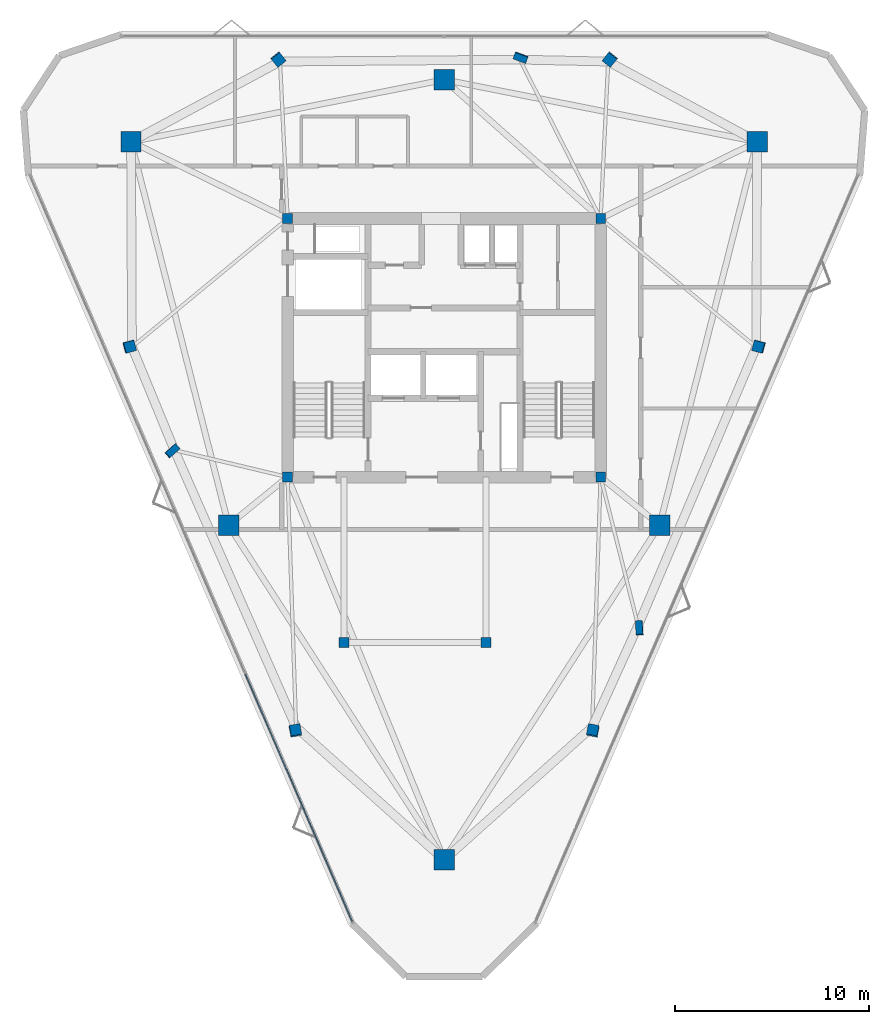
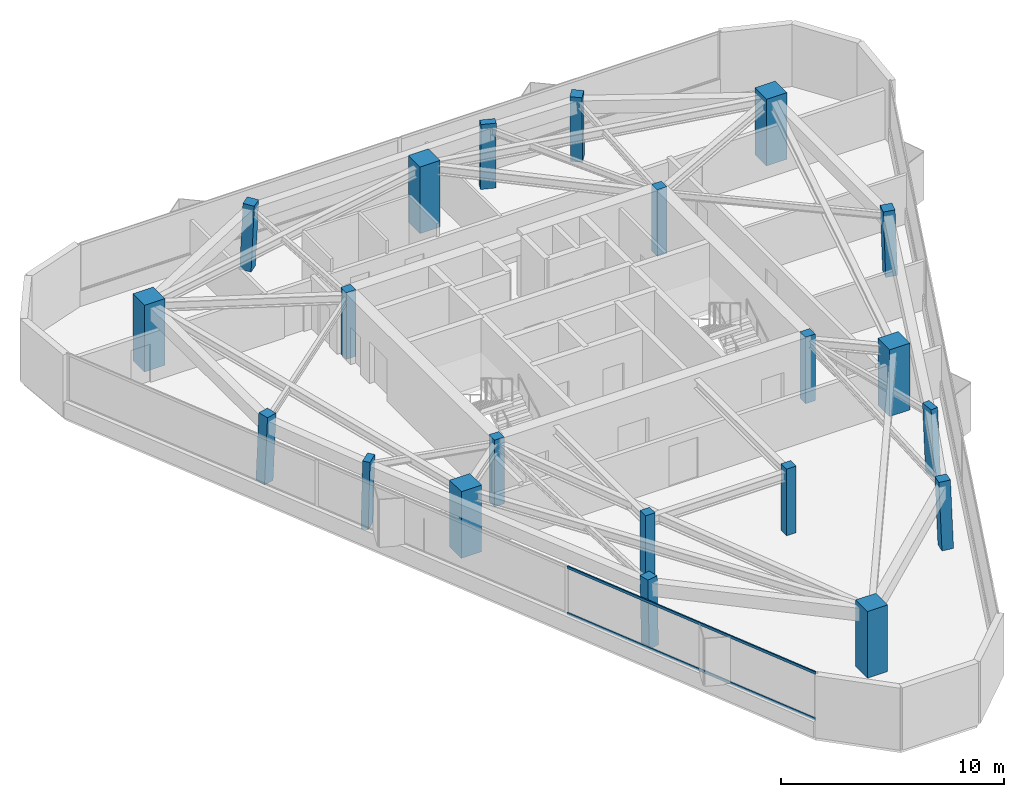
# One storey, part 1 of 10: 21 columns, 2 members, 1 element without a shape of its own.
"""IFC4 building model written with IfcOpenShell, lengths in metres."""

from ifc_helpers import new_model, si_unit, direction, frame, origin, origin_2d, place, context, subcontext, project, spatial, rectangle, extrude, material, layer, layer_set, material_profile, profile_set, type_object, element, aggregate, save


model = new_model("IFC4")

# Units and contexts
model_context = context("Model", 3, precision=1e-05, world=origin(), true_north=direction((0.0, 1.0)))
body_context = subcontext(model_context, "Body", "Model", "MODEL_VIEW")
ifc_project = project(units=[si_unit("LENGTHUNIT", "METRE"), si_unit("AREAUNIT", "SQUARE_METRE"), si_unit("VOLUMEUNIT", "CUBIC_METRE"), si_unit("PLANEANGLEUNIT", "RADIAN"), si_unit("MASSUNIT", "GRAM", prefix="KILO")], contexts=[model_context])

# Site, building, storey
site_placement = place(None, origin())
site = spatial("IfcSite", under=ifc_project, at=site_placement, CompositionType="ELEMENT")
building_placement = place(site_placement, origin())
building = spatial("IfcBuilding", under=site, at=building_placement, Name="Talyreon Biosciences Tower", CompositionType="ELEMENT")
storey_placement = place(building_placement, frame((0.0, 0.0, 287.449951171875)))
storey = spatial("IfcBuildingStorey", under=building, at=storey_placement, Name="L76", CompositionType="ELEMENT", Elevation=287.449951171875)

# Columns
ifc_material_1 = material(Name="Concrete C50/60", Category="concrete")
ifc_material_profile_1 = material_profile(ifc_material_1, rectangle(XDim=0.5, YDim=0.5, at=origin_2d()), Name="RC 500x500")
ifc_profile_set_1 = profile_set([ifc_material_profile_1], Name="Concrete C50/60")
column_type_1 = type_object("IfcColumnType", Name="CrownColumn_500", PredefinedType="COLUMN", material=ifc_profile_set_1)
for number, where, z_axis, x_axis, name in (
    (1, (57.949951171875, 61.35009765625, 0.0), (0.0, 0.0, 1.0), (1.0, 0.0, 0.0), "L76 Core Column CC1"),
    (2, (74.050048828125, 61.35009765625, 0.0), (0.0, 0.0, 1.0), (1.0, 0.0, 0.0), "L76 Core Column CC2"),
    (3, (74.050048828125, 74.64990234375, 0.0), (0.0, 0.0, 1.0), (1.0, 0.0, 0.0), "L76 Core Column CC3"),
    (4, (57.949951171875, 74.64990234375, 0.0), (0.0, 0.0, 1.0), (1.0, 0.0, 0.0), "L76 Core Column CC4"),
    (5, (60.85009765625, 52.840087890625, 0.0), (0.0, 0.0, 1.0), (1.0, 0.0, 0.0), "L76 Core Column CSW"),
    (6, (68.14990234375, 52.840087890625, 0.0), (0.0, 0.0, 1.0), (1.0, 0.0, 0.0), "L76 Core Column CSE"),
):
    element("IfcColumn", number, at=place(storey_placement, frame(where, z_axis=z_axis, x_axis=x_axis)), inside=storey, type_object=column_type_1, Name=name, PredefinedType="COLUMN", context=body_context, shape_type="SweptSolid", body=[
        extrude(rectangle(XDim=0.5, YDim=0.5, at=origin_2d()), origin(), (0.0, 0.0, 1.0), 3.650146484375),
    ])
ifc_material_2 = material(Name="Precast concrete C45/55", Category="concrete")
ifc_material_profile_2 = material_profile(ifc_material_2, rectangle(XDim=0.699951171875, YDim=0.35009765625, at=origin_2d()), Name="RC 700x350")
ifc_profile_set_2 = profile_set([ifc_material_profile_2], Name="Precast concrete C45/55")
column_type_2 = type_object("IfcColumnType", Name="FacadePilaster_700x350", PredefinedType="PILASTER", material=ifc_profile_set_2)
column_1_placement = place(storey_placement, frame((76.04931640625, 53.572998046875, 0.0029296875), z_axis=(-0.019545044433, 0.038353802945, 0.999073058909), x_axis=(0.063263333905, -0.997214076655, 0.039520069638)))
element("IfcColumn", 7, at=column_1_placement, inside=storey, type_object=column_type_2, Name="L76 Facade Pilaster PL-SE", PredefinedType="PILASTER", context=body_context, shape_type="SweptSolid", body=[
    extrude(rectangle(XDim=0.699951171875, YDim=0.35009765625, at=origin_2d()), origin(), (0.0, 0.0, 1.0), 3.6474609375),
])
column_2_placement = place(storey_placement, frame((69.940673828125, 82.945068359375, 0.0029296875), z_axis=(-0.012386525043, -0.033611003089, 0.999358231301), x_axis=(-0.938311200574, 0.345791976307, 0.0)))
element("IfcColumn", 8, at=column_2_placement, inside=storey, type_object=column_type_2, Name="L76 Facade Pilaster PL-N", PredefinedType="PILASTER", context=body_context, shape_type="SweptSolid", body=[
    extrude(rectangle(XDim=0.699951171875, YDim=0.35009765625, at=origin_2d()), origin(), (0.0, 0.0, 1.0), 3.646484375),
])
column_3_placement = place(storey_placement, frame((52.010009765625, 62.69970703125, 0.0029296875), z_axis=(0.032006454348, 0.010579539303, 0.999431668614), x_axis=(0.746781123543, 0.664349441211, -0.030947915635)))
element("IfcColumn", 9, at=column_3_placement, inside=storey, type_object=column_type_2, Name="L76 Facade Pilaster PL-SW", PredefinedType="PILASTER", context=body_context, shape_type="SweptSolid", body=[
    extrude(rectangle(XDim=0.699951171875, YDim=0.35009765625, at=origin_2d()), origin(), (0.0, 0.0, 1.0), 3.64599609375),
])
ifc_material_profile_3 = material_profile(ifc_material_1, rectangle(XDim=1.050048828125, YDim=1.050048828125, at=origin_2d()), Name="RC 1050x1050")
ifc_profile_set_3 = profile_set([ifc_material_profile_3], Name="Concrete C50/60")
column_type_3 = type_object("IfcColumnType", Name="MegaColumn_1050", PredefinedType="COLUMN", material=ifc_profile_set_3)
for number, where, z_axis, x_axis, name in (
    (10, (66.0, 41.6669921875, 0.0), (0.0, 0.0, 1.0), (1.0, 0.0, 0.0), "L76 Composite Mega-Column MC1"),
    (11, (82.102294921875, 78.5986328125, 0.0), (0.0, 0.0, 1.0), (1.0, 0.0, 0.0), "L76 Composite Mega-Column MC2"),
    (12, (49.897705078125, 78.5986328125, 0.0), (0.0, 0.0, 1.0), (1.0, 0.0, 0.0), "L76 Composite Mega-Column MC3"),
    (13, (77.086181640625, 58.88037109375, 0.0), (0.0, 0.0, 1.0), (1.0, 0.0, 0.0), "L76 Composite Mega-Column MC4"),
    (14, (66.0, 81.788818359375, 0.0), (0.0, 0.0, 1.0), (1.0, 0.0, 0.0), "L76 Composite Mega-Column MC5"),
    (15, (54.913818359375, 58.88037109375, 0.0), (0.0, 0.0, 1.0), (1.0, 0.0, 0.0), "L76 Composite Mega-Column MC6"),
):
    element("IfcColumn", number, at=place(storey_placement, frame(where, z_axis=z_axis, x_axis=x_axis)), inside=storey, type_object=column_type_3, Name=name, PredefinedType="COLUMN", context=body_context, shape_type="SweptSolid", body=[
        extrude(rectangle(XDim=1.050048828125, YDim=1.050048828125, at=origin_2d()), origin(), (0.0, 0.0, 1.0), 3.650146484375),
    ])
ifc_material_profile_4 = material_profile(ifc_material_1, rectangle(XDim=0.550048828125, YDim=0.550048828125, at=origin_2d()), Name="RC 550x550")
ifc_profile_set_4 = profile_set([ifc_material_profile_4], Name="Concrete C50/60")
column_type_4 = type_object("IfcColumnType", Name="PerimeterColumn_550", PredefinedType="COLUMN", material=ifc_profile_set_4)
column_4_placement = place(storey_placement, frame((73.65869140625, 48.288818359375, 0.0029296875), z_axis=(-0.012308168998, 0.054584053819, 0.998433317776), x_axis=(-0.185072033658, -0.981381387999, 0.051370357659)))
element("IfcColumn", 16, at=column_4_placement, inside=storey, type_object=column_type_4, Name="L76 Tapering Perimeter Column PC-SE1", PredefinedType="COLUMN", context=body_context, shape_type="SweptSolid", body=[
    extrude(rectangle(XDim=0.550048828125, YDim=0.550048828125, at=origin_2d()), origin(), (0.0, 0.0, 1.0), 3.649658203125),
])
column_5_placement = place(storey_placement, frame((82.197021484375, 68.06298828125, 0.0029296875), z_axis=(-0.039229508262, -0.005623342481, 0.999214403269), x_axis=(0.964318467378, -0.262232950068, 0.036383696508)))
element("IfcColumn", 17, at=column_5_placement, inside=storey, type_object=column_type_4, Name="L76 Tapering Perimeter Column PC-SE2", PredefinedType="COLUMN", context=body_context, shape_type="SweptSolid", body=[
    extrude(rectangle(XDim=0.550048828125, YDim=0.550048828125, at=origin_2d()), origin(), (0.0, 0.0, 1.0), 3.64697265625),
])
for number, where, z_axis, x_axis, name in (
    (18, (74.5380859375, 82.844970703125, 0.0029296875), (-0.026907963191, -0.033534551141, 0.999075270136), (-0.779956681152, 0.625833504637, 0.0), "L76 Tapering Perimeter Column PC-N1"),
    (19, (57.4619140625, 82.844970703125, 0.0029296875), (0.026907963191, -0.033534551141, 0.999075270136), (-0.779956681152, -0.625833504637, 0.0), "L76 Tapering Perimeter Column PC-N2"),
):
    element("IfcColumn", number, at=place(storey_placement, frame(where, z_axis=z_axis, x_axis=x_axis)), inside=storey, type_object=column_type_4, Name=name, PredefinedType="COLUMN", context=body_context, shape_type="SweptSolid", body=[
        extrude(rectangle(XDim=0.550048828125, YDim=0.550048828125, at=origin_2d()), origin(), (0.0, 0.0, 1.0), 3.6474609375),
    ])
column_6_placement = place(storey_placement, frame((49.802978515625, 68.06298828125, 0.0029296875), z_axis=(0.039229508262, -0.005623342481, 0.999214403269), x_axis=(0.964318467378, 0.262232950068, -0.036383696508)))
element("IfcColumn", 20, at=column_6_placement, inside=storey, type_object=column_type_4, Name="L76 Tapering Perimeter Column PC-SW1", PredefinedType="COLUMN", context=body_context, shape_type="SweptSolid", body=[
    extrude(rectangle(XDim=0.550048828125, YDim=0.550048828125, at=origin_2d()), origin(), (0.0, 0.0, 1.0), 3.64697265625),
])
column_7_placement = place(storey_placement, frame((58.34130859375, 48.288818359375, 0.0029296875), z_axis=(0.012308168998, 0.054584053819, 0.998433317776), x_axis=(-0.185072033658, 0.981381387999, -0.051370357659)))
element("IfcColumn", 21, at=column_7_placement, inside=storey, type_object=column_type_4, Name="L76 Tapering Perimeter Column PC-SW2", PredefinedType="COLUMN", context=body_context, shape_type="SweptSolid", body=[
    extrude(rectangle(XDim=0.550048828125, YDim=0.550048828125, at=origin_2d()), origin(), (0.0, 0.0, 1.0), 3.649658203125),
])

# Curtain wall, members
ifc_material_3 = material(Name="Thermally broken aluminium and low-E glazing", Category="aluminium")
ifc_layer = layer(ifc_material_3, 0.175048828125)
ifc_layer_set = layer_set([ifc_layer], Name="Thermally broken aluminium and low-E glazing")
curtain_wall_type = type_object("IfcCurtainWallType", Name="CurtainWall_Zone5CompLab", PredefinedType="NOTDEFINED", material=ifc_layer_set)
curtain_wall_placement = place(storey_placement, origin())
curtain_wall = element("IfcCurtainWall", 22, at=curtain_wall_placement, inside=storey, type_object=curtain_wall_type, Name="L76 Unitised Curtain Wall FCW-L76-00", PredefinedType="NOTDEFINED")
ifc_material_4 = material(Name="Anodised thermally broken aluminium", Category="aluminium")
ifc_material_profile_5 = material_profile(ifc_material_4, rectangle(XDim=0.06494140625, YDim=0.139892578125, at=origin_2d()), Name="ALUM TRANSOM 65x140")
ifc_profile_set_5 = profile_set([ifc_material_profile_5], Name="Anodised thermally broken aluminium")
member_type = type_object("IfcMemberType", Name="CWTransom_65x140", PredefinedType="USERDEFINED", material=ifc_profile_set_5)
member_1_placement = place(storey_placement, frame((61.27392578125, 38.497314453125, 0.842529296875), z_axis=(-0.396529792405, 0.918021853626, 0.0), x_axis=(-0.918021853626, -0.396529792405, 0.0)))
member_1 = element("IfcMember", 23, at=member_1_placement, type_object=member_type, Name="CW6 transom 1.1", ObjectType="TRANSOM", PredefinedType="USERDEFINED", context=body_context, shape_type="SweptSolid", body=[
    extrude(rectangle(XDim=0.06494140625, YDim=0.139892578125, at=origin_2d()), origin(), (0.0, 0.0, 1.0), 13.863525390625),
])
member_2_placement = place(storey_placement, frame((61.27392578125, 38.497314453125, 3.367431640625), z_axis=(-0.396529792405, 0.918021853626, 0.0), x_axis=(-0.918021853626, -0.396529792405, 0.0)))
member_2 = element("IfcMember", 24, at=member_2_placement, type_object=member_type, Name="CW6 transom 1.2", ObjectType="TRANSOM", PredefinedType="USERDEFINED", context=body_context, shape_type="SweptSolid", body=[
    extrude(rectangle(XDim=0.06494140625, YDim=0.139892578125, at=origin_2d()), origin(), (0.0, 0.0, 1.0), 13.863525390625),
])
aggregate(curtain_wall, [member_1, member_2])

save(model, "model.ifc")
